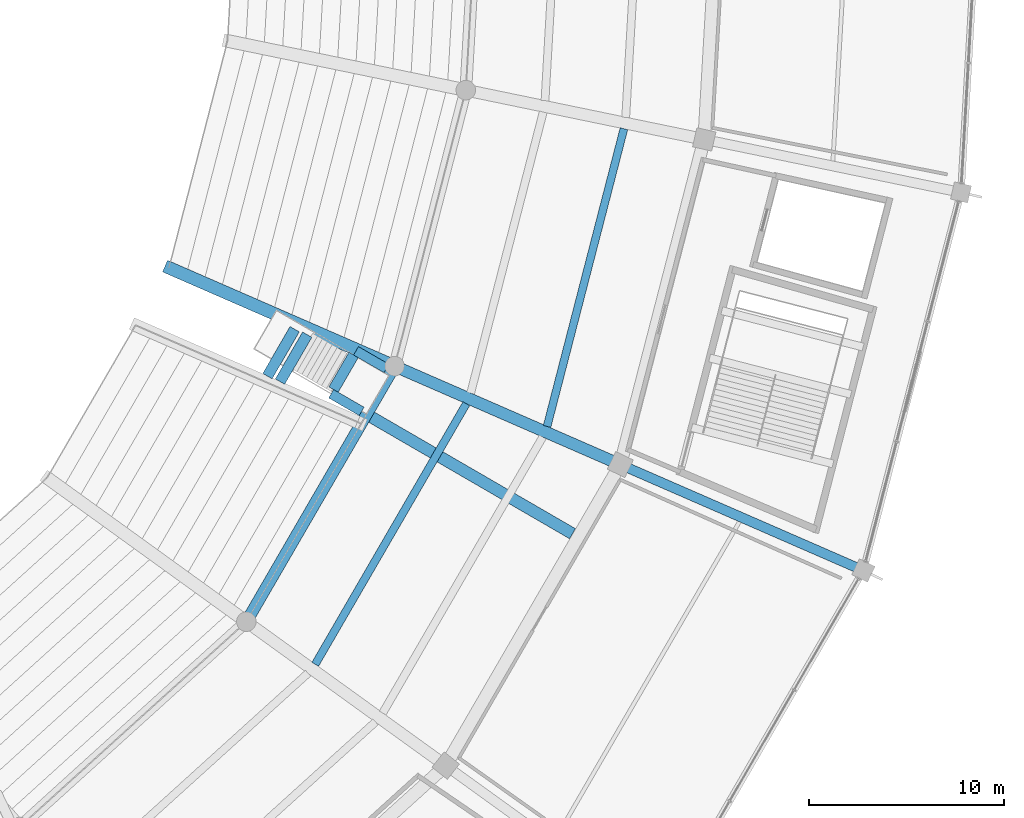
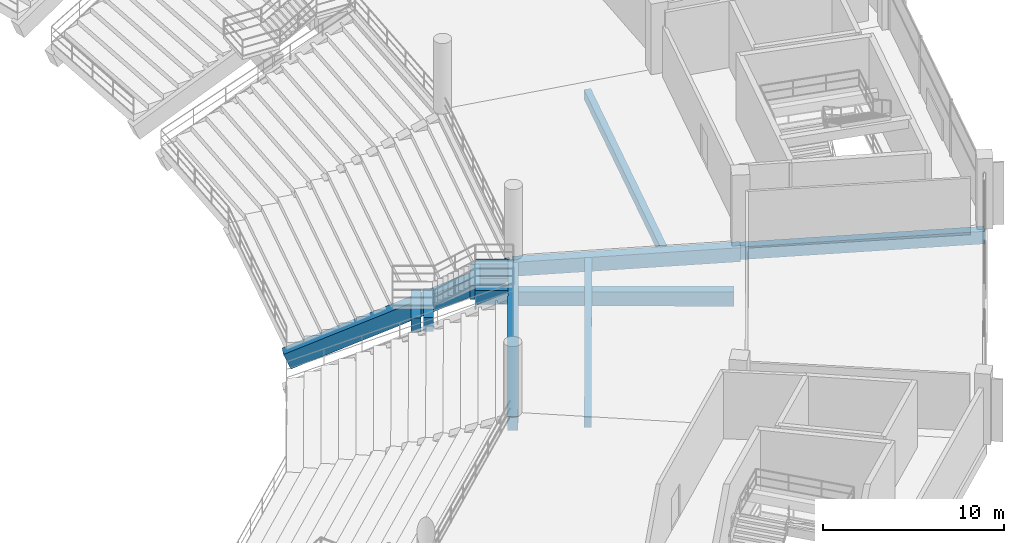
# One storey, part 54 of 156: 12 beams.
"""IFC4 building model written with IfcOpenShell, lengths in metres."""

from ifc_helpers import new_model, si_unit, direction, frame, origin, origin_2d, place, context, subcontext, project, spatial, rectangle, extrude, material, material_profile, profile_set, type_object, element, save


model = new_model("IFC4")

# Units and contexts
model_context = context("Model", 3, precision=1e-05, world=origin(), true_north=direction((0.0, 1.0)))
body_context = subcontext(model_context, "Body", "Model", "MODEL_VIEW")
ifc_project = project(units=[si_unit("LENGTHUNIT", "METRE"), si_unit("AREAUNIT", "SQUARE_METRE"), si_unit("VOLUMEUNIT", "CUBIC_METRE"), si_unit("PLANEANGLEUNIT", "RADIAN"), si_unit("MASSUNIT", "GRAM", prefix="KILO")], contexts=[model_context])

# Site, building, storey
site_placement = place(None, origin())
site = spatial("IfcSite", under=ifc_project, at=site_placement, CompositionType="ELEMENT")
building_placement = place(site_placement, origin())
building = spatial("IfcBuilding", under=site, at=building_placement, Name="Kazemori Nagisa Stadium", CompositionType="ELEMENT")
storey_placement = place(building_placement, frame((0.0, 0.0, 5.780029296875)))
storey = spatial("IfcBuildingStorey", under=building, at=storey_placement, Name="L01", CompositionType="ELEMENT", Elevation=5.780029296875)

# Beams
ifc_material = material(Name="Concrete C40/50 (Fc42)", Category="concrete")
ifc_material_profile_1 = material_profile(ifc_material, rectangle(XDim=0.5, YDim=0.85009765625, at=origin_2d()), Name="RC-BM-500x850")
ifc_profile_set_1 = profile_set([ifc_material_profile_1], Name="Concrete C40/50 (Fc42)")
beam_type_1 = type_object("IfcBeamType", Name="Beam_BG-RC500X850", PredefinedType="BEAM", material=ifc_profile_set_1)
beam_1_placement = place(storey_placement, frame((199.44091796875, 68.67529296875, -0.705078125), z_axis=(0.916683633521, -0.399613708517, 0.0), x_axis=(0.399613708517, 0.916683633521, 0.0)))
element("IfcBeam", 1, at=beam_1_placement, inside=storey, type_object=beam_type_1, Name="Radial girder BG-RC500X850 L01 R2-R3-27", PredefinedType="BEAM", context=body_context, shape_type="SweptSolid", body=[
    extrude(rectangle(XDim=0.5, YDim=0.85009765625, at=origin_2d()), origin(), (0.0, 0.0, 1.0), 13.5751953125),
])
ifc_material_profile_2 = material_profile(ifc_material, rectangle(XDim=0.60009765625, YDim=0.949951171875, at=origin_2d()), Name="RC-BM-600x950")
ifc_profile_set_2 = profile_set([ifc_material_profile_2], Name="Concrete C40/50 (Fc42)")
beam_type_2 = type_object("IfcBeamType", Name="Beam_BG-RC600X950", PredefinedType="BEAM", material=ifc_profile_set_2)
beam_2_placement = place(storey_placement, frame((180.301513671875, 60.632568359375, -0.755126953125), z_axis=(0.501613453924, 0.865091869597, 0.0), x_axis=(-0.865091869597, 0.501613453924, 0.0)))
element("IfcBeam", 2, at=beam_2_placement, inside=storey, type_object=beam_type_2, Name="Ring girder BG-RC600X950 L01 R1-26", PredefinedType="BEAM", context=body_context, shape_type="SweptSolid", body=[
    extrude(rectangle(XDim=0.60009765625, YDim=0.949951171875, at=origin_2d()), origin(), (0.0, 0.0, 1.0), 15.1201171875),
])
beam_3_placement = place(storey_placement, frame((187.885986328125, 73.712890625, -0.755126953125), z_axis=(0.916671768981, -0.399640923771, 0.0), x_axis=(0.399640923771, 0.916671768981, 0.0)))
element("IfcBeam", 3, at=beam_3_placement, inside=storey, type_object=beam_type_2, Name="Radial girder BG-RC600X950 L01 R1-R2-27", PredefinedType="BEAM", context=body_context, shape_type="SweptSolid", body=[
    extrude(rectangle(XDim=0.60009765625, YDim=0.949951171875, at=origin_2d()), origin(), (0.0, 0.0, 1.0), 12.605224609375),
])
beam_4_placement = place(storey_placement, frame((186.711669921875, 71.099365234375, -0.755126953125), z_axis=(0.865092860791, -0.501611744488, 0.0), x_axis=(0.501611744488, 0.865092860791, 0.0)))
element("IfcBeam", 4, at=beam_4_placement, inside=storey, type_object=beam_type_2, Name="Lower vomitory right backspan girder B26", PredefinedType="BEAM", context=body_context, shape_type="SweptSolid", body=[
    extrude(rectangle(XDim=0.60009765625, YDim=0.949951171875, at=origin_2d()), origin(), (0.0, 0.0, 1.0), 11.887939453125),
])
ifc_material_profile_3 = material_profile(ifc_material, rectangle(XDim=0.5, YDim=0.949951171875, at=origin_2d()), Name="RC-BM-500x950")
ifc_profile_set_3 = profile_set([ifc_material_profile_3], Name="Concrete C40/50 (Fc42)")
beam_type_3 = type_object("IfcBeamType", Name="Beam_BG-TR500X950", PredefinedType="BEAM", material=ifc_profile_set_3)
for number, where, z_axis, x_axis, name in (
    (5, (185.913818359375, 74.498046875, -0.695068359375), (0.865071102228, -0.501649268005, 0.0), (0.501649268005, 0.865071102228, 0.0), "Lower vomitory left trimmer girder B26"),
    (6, (184.6396484375, 72.30078125, -0.695068359375), (0.865071102228, -0.501649268005, 0.0), (0.501649268005, 0.865071102228, 0.0), "Lower vomitory right trimmer girder B26"),
):
    element("IfcBeam", number, at=place(storey_placement, frame(where, z_axis=z_axis, x_axis=x_axis)), inside=storey, type_object=beam_type_3, Name=name, PredefinedType="BEAM", context=body_context, shape_type="SweptSolid", body=[
        extrude(rectangle(XDim=0.5, YDim=0.949951171875, at=origin_2d()), origin(), (0.0, 0.0, 1.0), 1.80517578125),
    ])
ifc_material_profile_4 = material_profile(ifc_material, rectangle(XDim=0.550048828125, YDim=0.949951171875, at=origin_2d()), Name="RC-BM-550x950")
ifc_profile_set_4 = profile_set([ifc_material_profile_4], Name="Concrete C40/50 (Fc42)")
beam_type_4 = type_object("IfcBeamType", Name="Beam_BG-TR550X950", PredefinedType="BEAM", material=ifc_profile_set_4)
beam_5_placement = place(storey_placement, frame((185.791015625, 74.2861328125, -0.695068359375), z_axis=(-0.501618278158, -0.865089072303, 0.0), x_axis=(0.865089072303, -0.501618278158, 0.0)))
element("IfcBeam", 7, at=beam_5_placement, inside=storey, type_object=beam_type_4, Name="Lower vomitory portal header girder B26", PredefinedType="BEAM", context=body_context, shape_type="SweptSolid", body=[
    extrude(rectangle(XDim=0.550048828125, YDim=0.949951171875, at=origin_2d()), origin(), (0.0, 0.0, 1.0), 2.050048828125),
])
for number, where, z_axis, x_axis, name in (
    (8, (182.022705078125, 72.920166015625, -2.135009765625), (0.501548535502, 0.865129508533, 0.0), (-0.865129508533, 0.501548535502, 0.0), "Vomitory landing cross-beam VL11-1"),
    (9, (181.38037109375, 73.2001953125, -2.135009765625), (0.501614261073, 0.86509140158, 0.0), (-0.86509140158, 0.501614261073, 0.0), "Vomitory landing cross-beam VL11-2"),
):
    element("IfcBeam", number, at=place(storey_placement, frame(where, z_axis=z_axis, x_axis=x_axis)), inside=storey, type_object=beam_type_4, Name=name, PredefinedType="BEAM", context=body_context, shape_type="SweptSolid", body=[
        extrude(rectangle(XDim=0.550048828125, YDim=0.949951171875, at=origin_2d()), origin(), (0.0, 0.0, 1.0), 2.780029296875),
    ])
ifc_material_profile_5 = material_profile(ifc_material, rectangle(XDim=0.39990234375, YDim=0.64990234375, at=origin_2d()), Name="RC-BM-400x650")
ifc_profile_set_5 = profile_set([ifc_material_profile_5], Name="Concrete C40/50 (Fc42)")
beam_type_5 = type_object("IfcBeamType", Name="Beam_BJ-RC400X650", PredefinedType="JOIST", material=ifc_profile_set_5)
beam_6_placement = place(storey_placement, frame((183.824951171875, 58.451171875, -0.60498046875), z_axis=(0.501607199617, 0.865095496054, 0.0), x_axis=(-0.865095496054, 0.501607199617, 0.0)))
element("IfcBeam", 10, at=beam_6_placement, inside=storey, type_object=beam_type_5, Name="Concourse joist BJ-RC400X650 L01 B26-1", PredefinedType="JOIST", context=body_context, shape_type="SweptSolid", body=[
    extrude(rectangle(XDim=0.39990234375, YDim=0.64990234375, at=origin_2d()), origin(), (0.0, 0.0, 1.0), 15.420654296875),
])
beam_7_placement = place(storey_placement, frame((195.692626953125, 70.627197265625, -0.60498046875), z_axis=(0.24997419154, 0.968252499901, 0.0), x_axis=(-0.968252499901, 0.24997419154, 0.0)))
element("IfcBeam", 11, at=beam_7_placement, inside=storey, type_object=beam_type_5, Name="Concourse joist BJ-RC400X650 L01 B27-2", PredefinedType="JOIST", context=body_context, shape_type="SweptSolid", body=[
    extrude(rectangle(XDim=0.39990234375, YDim=0.64990234375, at=origin_2d()), origin(), (0.0, 0.0, 1.0), 15.739013671875),
])
ifc_material_profile_6 = material_profile(ifc_material, rectangle(XDim=0.64990234375, YDim=1.10009765625, at=origin_2d()), Name="RC-RK-650x1100")
ifc_profile_set_6 = profile_set([ifc_material_profile_6], Name="Concrete C40/50 (Fc42)")
beam_type_6 = type_object("IfcBeamType", Name="Beam_RK-RC650X1100", PredefinedType="USERDEFINED", material=ifc_profile_set_6)
beam_8_placement = place(storey_placement, frame((176.3310546875, 78.750244140625, -5.97998046875), z_axis=(0.848589087357, -0.369941022194, 0.378206558531), x_axis=(0.399624648835, 0.916678864185, 0.0)))
element("IfcBeam", 12, at=beam_8_placement, inside=storey, type_object=beam_type_6, Name="Raker beam lower RK1-27", ObjectType="RAKER BEAM", PredefinedType="USERDEFINED", context=body_context, shape_type="SweptSolid", body=[
    extrude(rectangle(XDim=0.64990234375, YDim=1.10009765625, at=origin_2d()), origin(), (0.0, 0.0, 1.0), 13.61669921875),
])

save(model, "model.ifc")
